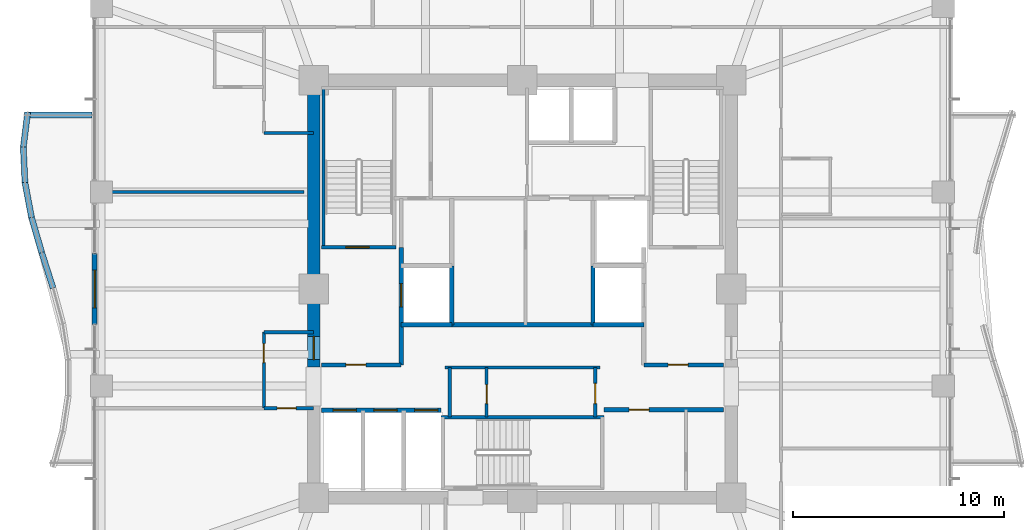
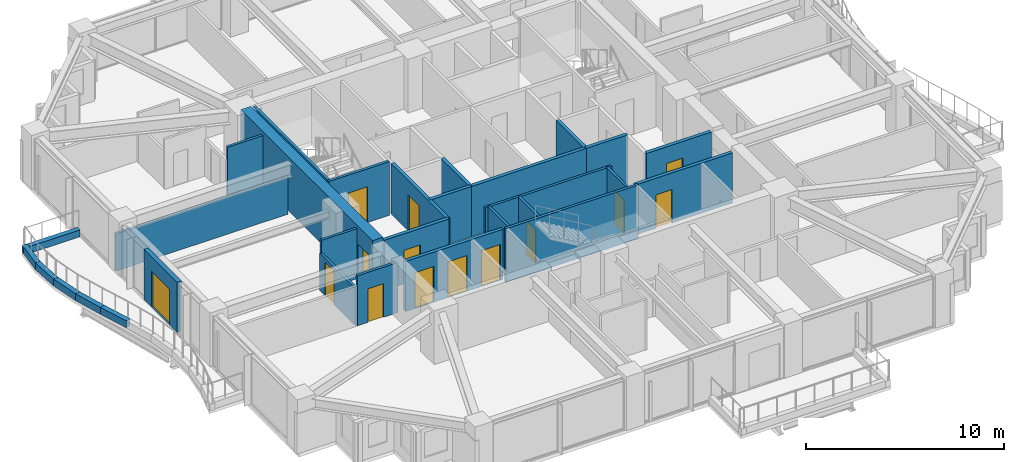
# One storey, part 32 of 38: 30 walls, 14 doors, 14 openings.
"""IFC4 building model written with IfcOpenShell, lengths in metres."""

from ifc_helpers import new_model, si_unit, direction, frame, frame_2d, origin, place, context, subcontext, project, spatial, rectangle, extrude, material, layer, layer_set, type_object, element, fill, save


model = new_model("IFC4")

# Units and contexts
model_context = context("Model", 3, precision=1e-05, world=origin(), true_north=direction((0.0, 1.0)))
body_context = subcontext(model_context, "Body", "Model", "MODEL_VIEW")
ifc_project = project(units=[si_unit("LENGTHUNIT", "METRE"), si_unit("AREAUNIT", "SQUARE_METRE"), si_unit("VOLUMEUNIT", "CUBIC_METRE"), si_unit("PLANEANGLEUNIT", "RADIAN"), si_unit("MASSUNIT", "GRAM", prefix="KILO")], contexts=[model_context])

# Site, building, storey
site_placement = place(None, origin())
site = spatial("IfcSite", under=ifc_project, at=site_placement, CompositionType="ELEMENT")
building_placement = place(site_placement, origin())
building = spatial("IfcBuilding", under=site, at=building_placement, Name="Kolvaren Belvedere", CompositionType="ELEMENT")
storey_placement = place(building_placement, frame((0.0, 0.0, 101.89990234375)))
storey = spatial("IfcBuildingStorey", under=building, at=storey_placement, Name="L29", CompositionType="ELEMENT", Elevation=101.89990234375)

# Wall, opening, door
ifc_material_1 = material(Name="Concrete C60/75", Category="concrete")
ifc_layer_1 = layer(ifc_material_1, 0.60009765625)
ifc_layer_set_1 = layer_set([ifc_layer_1], Name="Concrete C60/75")
wall_type_1 = type_object("IfcWallType", Name="CW-CORE-600", PredefinedType="SHEAR", material=ifc_layer_set_1)
wall_1_placement = place(storey_placement, frame((-9.89990234375, -3.699951171875, 0.0), z_axis=(0.0, 0.0, 1.0), x_axis=(0.0, 1.0, 0.0)))
wall_1 = element("IfcWall", 1, at=wall_1_placement, inside=storey, type_object=wall_type_1, Name="L29 West Core Shear Wall 2", PredefinedType="SHEAR", context=body_context, shape_type="SweptSolid", body=[
    extrude(rectangle(XDim=13.300048828125, YDim=0.60009765625, at=frame_2d((6.64990234375, 0.0))), origin(), (0.0, 0.0, 1.0), 3.300048828125),
])
opening_1_placement = place(wall_1_placement, frame((0.35009765625, 0.0, 0.0)))
opening_1 = element("IfcOpeningElement", 2, at=opening_1_placement, cuts=wall_1, Name="Opening D-FD90", PredefinedType="OPENING", context=body_context, shape_type="SweptSolid", body=[
    extrude(rectangle(XDim=1.10009765625, YDim=2.199951171875, at=frame_2d((0.550048828125, 1.10009765625))), frame((0.0, 0.31005859375, 0.0), z_axis=(0.0, -1.0, 0.0), x_axis=(1.0, 0.0, 0.0)), (0.0, 0.0, 1.0), 0.6201171875),
])
ifc_material_2 = material(Name="Painted hollow stainless steel", Category="steel")
door_type_1 = type_object("IfcDoorType", Name="DR-FD90-1100", OperationType="NOTDEFINED", PredefinedType="DOOR", material=ifc_material_2)
door_1_placement = place(opening_1_placement, origin())
door_1 = element("IfcDoor", 3, at=door_1_placement, inside=storey, type_object=door_type_1, Name="L29 West Firefighting Lobby Fire Door", OperationType="SINGLE_SWING_LEFT", OverallHeight=2.199951171875, OverallWidth=1.10009765625, PredefinedType="DOOR", context=body_context, shape_type="SweptSolid", body=[
    extrude(rectangle(XDim=1.10009765625, YDim=2.199951171875, at=frame_2d((0.550048828125, 1.10009765625))), frame((0.0, 0.02490234375, 0.0), z_axis=(0.0, -1.0, 0.0), x_axis=(1.0, 0.0, 0.0)), (0.0, 0.0, 1.0), 0.050048828125),
])
fill(opening_1, door_1)

ifc_material_3 = material(Name="Concrete C50/60", Category="concrete")
ifc_layer_2 = layer(ifc_material_3, 0.159912109375)
ifc_layer_set_2 = layer_set([ifc_layer_2], Name="Concrete C50/60")
wall_type_2 = type_object("IfcWallType", Name="CW-STAIR-160", PredefinedType="SHEAR", material=ifc_layer_set_2)
wall_2_placement = place(storey_placement, frame((-9.52001953125, 1.969970703125, 0.0), z_axis=(0.0, 0.0, 1.0), x_axis=(1.0, 0.0, 0.0)))
wall_2 = element("IfcWall", 4, at=wall_2_placement, inside=storey, type_object=wall_type_2, Name="L29 Stair ST-1 South Shear Wall", PredefinedType="SHEAR", context=body_context, shape_type="SweptSolid", body=[
    extrude(rectangle(XDim=3.52001953125, YDim=0.159912109375, at=frame_2d((1.760009765625, 0.0))), origin(), (0.0, 0.0, 1.0), 3.300048828125),
])
opening_2_placement = place(wall_2_placement, frame((1.14990234375, 0.0, 0.0)))
opening_2 = element("IfcOpeningElement", 5, at=opening_2_placement, cuts=wall_2, Name="Opening D-FD90", PredefinedType="OPENING", context=body_context, shape_type="SweptSolid", body=[
    extrude(rectangle(XDim=1.10009765625, YDim=2.199951171875, at=frame_2d((0.550048828125, 1.10009765625))), frame((0.0, 0.08984375, 0.0), z_axis=(0.0, -1.0, 0.0), x_axis=(1.0, 0.0, 0.0)), (0.0, 0.0, 1.0), 0.179931640625),
])
door_2_placement = place(opening_2_placement, origin())
door_2 = element("IfcDoor", 6, at=door_2_placement, inside=storey, type_object=door_type_1, Name="L29 Stair ST-1 Fire Door", OperationType="SINGLE_SWING_LEFT", OverallHeight=2.199951171875, OverallWidth=1.10009765625, PredefinedType="DOOR", context=body_context, shape_type="SweptSolid", body=[
    extrude(rectangle(XDim=1.10009765625, YDim=2.199951171875, at=frame_2d((0.550048828125, 1.10009765625))), frame((0.0, 0.02490234375, 0.0), z_axis=(0.0, -1.0, 0.0), x_axis=(1.0, 0.0, 0.0)), (0.0, 0.0, 1.0), 0.050048828125),
])
fill(opening_2, door_2)

# Walls
wall_3_placement = place(storey_placement, frame((-9.429931640625, 1.969970703125, 0.0), z_axis=(0.0, 0.0, 1.0), x_axis=(0.0, 1.0, 0.0)))
element("IfcWall", 7, at=wall_3_placement, inside=storey, type_object=wall_type_2, Name="L29 Stair ST-1 West Shear Wall", PredefinedType="SHEAR", context=body_context, shape_type="SweptSolid", body=[
    extrude(rectangle(XDim=7.56005859375, YDim=0.159912109375, at=frame_2d((3.780029296875, 0.0))), origin(), (0.0, 0.0, 1.0), 3.300048828125),
])
wall_4_placement = place(storey_placement, frame((-3.860107421875, -6.080078125, 0.0), z_axis=(0.0, 0.0, 1.0), x_axis=(1.0, 0.0, 0.0)))
element("IfcWall", 8, at=wall_4_placement, inside=storey, type_object=wall_type_2, Name="L29 Stair ST-3 North Shear Wall", PredefinedType="SHEAR", context=body_context, shape_type="SweptSolid", body=[
    extrude(rectangle(XDim=7.72021484375, YDim=0.159912109375, at=frame_2d((3.860107421875, 0.0))), origin(), (0.0, 0.0, 1.0), 3.300048828125),
])
ifc_material_4 = material(Name="Gypsum fire-rated partition assembly", Category="gypsum")
ifc_layer_3 = layer(ifc_material_4, 0.14990234375)
ifc_layer_set_3 = layer_set([ifc_layer_3], Name="Gypsum fire-rated partition assembly")
wall_type_3 = type_object("IfcWallType", Name="WL-CORR-150", PredefinedType="PARTITIONING", material=ifc_layer_set_3)
wall_5_placement = place(storey_placement, frame((-12.260009765625, 7.39990234375, 0.0), z_axis=(0.0, 0.0, 1.0), x_axis=(1.0, 0.0, 0.0)))
element("IfcWall", 9, at=wall_5_placement, inside=storey, type_object=wall_type_3, Name="L29 NW Core Closure Wall", PredefinedType="PARTITIONING", context=body_context, shape_type="SweptSolid", body=[
    extrude(rectangle(XDim=2.360107421875, YDim=0.14990234375, at=frame_2d((1.18017578125, 0.0))), origin(), (0.0, 0.0, 1.0), 3.080078125),
])

# Wall, opening, door
wall_6_placement = place(storey_placement, frame((-12.260009765625, -5.64990234375, 0.0), z_axis=(0.0, 0.0, 1.0), x_axis=(0.0, 1.0, 0.0)))
wall_6 = element("IfcWall", 10, at=wall_6_placement, inside=storey, type_object=wall_type_3, Name="L29 West FSAE Pocket Wall", PredefinedType="PARTITIONING", context=body_context, shape_type="SweptSolid", body=[
    extrude(rectangle(XDim=3.599853515625, YDim=0.14990234375, at=frame_2d((1.7998046875, 0.0))), origin(), (0.0, 0.0, 1.0), 2.2919921875),
])
opening_3_placement = place(wall_6_placement, frame((2.15625, 0.0, 0.0)))
opening_3 = element("IfcOpeningElement", 11, at=opening_3_placement, cuts=wall_6, Name="Opening D-INT90", PredefinedType="OPENING", context=body_context, shape_type="SweptSolid", body=[
    extrude(rectangle(XDim=0.89990234375, YDim=2.06005859375, at=frame_2d((0.449951171875, 1.030029296875))), frame((0.0, 0.0849609375, 0.0), z_axis=(0.0, -1.0, 0.0), x_axis=(1.0, 0.0, 0.0)), (0.0, 0.0, 1.0), 0.169921875),
])
ifc_material_5 = material(Name="Stained Pacific white oak", Category="timber")
door_type_2 = type_object("IfcDoorType", Name="DR-INT-900", OperationType="NOTDEFINED", PredefinedType="DOOR", material=ifc_material_5)
door_3_placement = place(opening_3_placement, origin())
door_3 = element("IfcDoor", 12, at=door_3_placement, inside=storey, type_object=door_type_2, Name="L29 Lounge 2908 Door", OperationType="SINGLE_SWING_LEFT", OverallHeight=2.06005859375, OverallWidth=0.89990234375, PredefinedType="DOOR", context=body_context, shape_type="SweptSolid", body=[
    extrude(rectangle(XDim=0.89990234375, YDim=2.06005859375, at=frame_2d((0.449951171875, 1.030029296875))), frame((0.0, 0.02490234375, 0.0), z_axis=(0.0, -1.0, 0.0), x_axis=(1.0, 0.0, 0.0)), (0.0, 0.0, 1.0), 0.050048828125),
])
fill(opening_3, door_3)

# Wall
wall_7_placement = place(storey_placement, frame((-12.260009765625, -2.050048828125, 0.0), z_axis=(0.0, 0.0, 1.0), x_axis=(1.0, 0.0, 0.0)))
element("IfcWall", 13, at=wall_7_placement, inside=storey, type_object=wall_type_3, Name="L29 West Pocket North Closure Wall", PredefinedType="PARTITIONING", context=body_context, shape_type="SweptSolid", body=[
    extrude(rectangle(XDim=2.360107421875, YDim=0.14990234375, at=frame_2d((1.18017578125, 0.0))), origin(), (0.0, 0.0, 1.0), 3.080078125),
])

# Wall, opening, door
wall_8_placement = place(storey_placement, frame((-12.260009765625, -5.64990234375, 0.0), z_axis=(0.0, 0.0, 1.0), x_axis=(1.0, 0.0, 0.0)))
wall_8 = element("IfcWall", 14, at=wall_8_placement, inside=storey, type_object=wall_type_3, Name="L29 West Pocket South Closure Wall", PredefinedType="PARTITIONING", context=body_context, shape_type="SweptSolid", body=[
    extrude(rectangle(XDim=2.360107421875, YDim=0.14990234375, at=frame_2d((1.18017578125, 0.0))), origin(), (0.0, 0.0, 1.0), 3.080078125),
])
opening_4_placement = place(wall_8_placement, frame((0.631591796875, 0.0, 0.0)))
opening_4 = element("IfcOpeningElement", 15, at=opening_4_placement, cuts=wall_8, Name="Opening D-INT90", PredefinedType="OPENING", context=body_context, shape_type="SweptSolid", body=[
    extrude(rectangle(XDim=0.89990234375, YDim=2.06005859375, at=frame_2d((0.449951171875, 1.030029296875))), frame((0.0, 0.0849609375, 0.0), z_axis=(0.0, -1.0, 0.0), x_axis=(1.0, 0.0, 0.0)), (0.0, 0.0, 1.0), 0.169921875),
])
door_4_placement = place(opening_4_placement, origin())
door_4 = element("IfcDoor", 16, at=door_4_placement, inside=storey, type_object=door_type_2, Name="L29 Lounge 2909 Door", OperationType="SINGLE_SWING_RIGHT", OverallHeight=2.06005859375, OverallWidth=0.89990234375, PredefinedType="DOOR", context=body_context, shape_type="SweptSolid", body=[
    extrude(rectangle(XDim=0.89990234375, YDim=2.06005859375, at=frame_2d((0.449951171875, 1.030029296875))), frame((0.0, 0.02490234375, 0.0), z_axis=(0.0, -1.0, 0.0), x_axis=(1.0, 0.0, 0.0)), (0.0, 0.0, 1.0), 0.050048828125),
])
fill(opening_4, door_4)

ifc_material_6 = material(Name="Insulated pale-metal facade wall assembly", Category="aluminium")
ifc_layer_4 = layer(ifc_material_6, 0.239990234375)
ifc_layer_set_4 = layer_set([ifc_layer_4], Name="Insulated pale-metal facade wall assembly")
wall_type_4 = type_object("IfcWallType", Name="WL-EXT-240", PredefinedType="STANDARD", material=ifc_layer_set_4)
wall_9_placement = place(storey_placement, frame((-20.280029296875, -1.679931640625, 0.0), z_axis=(0.0, 0.0, 1.0), x_axis=(0.0, 1.0, 0.0)))
wall_9 = element("IfcWall", 17, at=wall_9_placement, inside=storey, type_object=wall_type_4, Name="L29 West Terrace Portal Wall", PredefinedType="STANDARD", context=body_context, shape_type="SweptSolid", body=[
    extrude(rectangle(XDim=3.35986328125, YDim=0.239990234375, at=frame_2d((1.679931640625, 0.0))), origin(), (0.0, 0.0, 1.0), 3.080078125),
])
opening_5_placement = place(wall_9_placement, frame((0.780029296875, 0.0, 0.0)))
opening_5 = element("IfcOpeningElement", 18, at=opening_5_placement, cuts=wall_9, Name="Opening DB-1800", PredefinedType="OPENING", context=body_context, shape_type="SweptSolid", body=[
    extrude(rectangle(XDim=1.800048828125, YDim=2.199951171875, at=frame_2d((0.89990234375, 1.10009765625))), frame((0.0, 0.1298828125, 0.0), z_axis=(0.0, -1.0, 0.0), x_axis=(1.0, 0.0, 0.0)), (0.0, 0.0, 1.0), 0.260009765625),
])
ifc_material_7 = material(Name="Thermally broken pale-metal aluminium & low-iron glass", Category="aluminium")
door_type_3 = type_object("IfcDoorType", Name="DR-BAL-1800", OperationType="DOUBLE_DOOR_SLIDING", PredefinedType="DOOR", material=ifc_material_7)
door_5_placement = place(opening_5_placement, origin())
door_5 = element("IfcDoor", 19, at=door_5_placement, inside=storey, type_object=door_type_3, Name="L29 West Planted Terrace Sliding Door", OperationType="DOUBLE_DOOR_SLIDING", OverallHeight=2.199951171875, OverallWidth=1.800048828125, PredefinedType="DOOR", context=body_context, shape_type="SweptSolid", body=[
    extrude(rectangle(XDim=1.800048828125, YDim=2.199951171875, at=frame_2d((0.89990234375, 1.10009765625))), frame((0.0, 0.02490234375, 0.0), z_axis=(0.0, -1.0, 0.0), x_axis=(1.0, 0.0, 0.0)), (0.0, 0.0, 1.0), 0.050048828125),
])
fill(opening_5, door_5)

# Wall
ifc_material_8 = material(Name="Gypsum acoustic partition assembly", Category="gypsum")
ifc_layer_5 = layer(ifc_material_8, 0.14990234375)
ifc_layer_set_5 = layer_set([ifc_layer_5], Name="Gypsum acoustic partition assembly")
wall_type_5 = type_object("IfcWallType", Name="WL-PART-150", PredefinedType="PARTITIONING", material=ifc_layer_set_5)
wall_10_placement = place(storey_placement, frame((-3.679931640625, -3.719970703125, 0.0), z_axis=(0.0, 0.0, 1.0), x_axis=(1.0, 0.0, 0.0)))
element("IfcWall", 20, at=wall_10_placement, inside=storey, type_object=wall_type_5, Name="L29 South Core Service North Wall", PredefinedType="PARTITIONING", context=body_context, shape_type="SweptSolid", body=[
    extrude(rectangle(XDim=7.35986328125, YDim=0.14990234375, at=frame_2d((3.679931640625, 0.0))), origin(), (0.0, 0.0, 1.0), 3.080078125),
])

# Wall, opening, door
wall_11_placement = place(storey_placement, frame((3.449951171875, -6.080078125, 0.0), z_axis=(0.0, 0.0, 1.0), x_axis=(0.0, 1.0, 0.0)))
wall_11 = element("IfcWall", 21, at=wall_11_placement, inside=storey, type_object=wall_type_5, Name="L29 South Core Service East Wall", PredefinedType="PARTITIONING", context=body_context, shape_type="SweptSolid", body=[
    extrude(rectangle(XDim=2.360107421875, YDim=0.14990234375, at=frame_2d((1.18017578125, 0.0))), origin(), (0.0, 0.0, 1.0), 3.080078125),
])
opening_6_placement = place(wall_11_placement, frame((0.64990234375, 0.0, 0.0)))
opening_6 = element("IfcOpeningElement", 22, at=opening_6_placement, cuts=wall_11, Name="Opening D-FD60", PredefinedType="OPENING", context=body_context, shape_type="SweptSolid", body=[
    extrude(rectangle(XDim=0.949951171875, YDim=2.06005859375, at=frame_2d((0.47509765625, 1.030029296875))), frame((0.0, 0.0849609375, 0.0), z_axis=(0.0, -1.0, 0.0), x_axis=(1.0, 0.0, 0.0)), (0.0, 0.0, 1.0), 0.169921875),
])
ifc_material_9 = material(Name="Acoustic white-oak fire door leaf", Category="timber")
door_type_4 = type_object("IfcDoorType", Name="DR-FD60-950", OperationType="NOTDEFINED", PredefinedType="DOOR", material=ifc_material_9)
door_6_placement = place(opening_6_placement, origin())
door_6 = element("IfcDoor", 23, at=door_6_placement, inside=storey, type_object=door_type_4, Name="L29 Core Service Room Door", OperationType="SINGLE_SWING_LEFT", OverallHeight=2.06005859375, OverallWidth=0.949951171875, PredefinedType="DOOR", context=body_context, shape_type="SweptSolid", body=[
    extrude(rectangle(XDim=0.949951171875, YDim=2.06005859375, at=frame_2d((0.47509765625, 1.030029296875))), frame((0.0, 0.02490234375, 0.0), z_axis=(0.0, -1.0, 0.0), x_axis=(1.0, 0.0, 0.0)), (0.0, 0.0, 1.0), 0.050048828125),
])
fill(opening_6, door_6)

# Wall
wall_12_placement = place(storey_placement, frame((-3.449951171875, -6.080078125, 0.0), z_axis=(0.0, 0.0, 1.0), x_axis=(0.0, 1.0, 0.0)))
element("IfcWall", 24, at=wall_12_placement, inside=storey, type_object=wall_type_5, Name="L29 South Core Service West Wall", PredefinedType="PARTITIONING", context=body_context, shape_type="SweptSolid", body=[
    extrude(rectangle(XDim=2.360107421875, YDim=0.14990234375, at=frame_2d((1.18017578125, 0.0))), origin(), (0.0, 0.0, 1.0), 3.080078125),
])

# Wall, opening, door
wall_13_placement = place(storey_placement, frame((-1.699951171875, -6.080078125, 0.0), z_axis=(0.0, 0.0, 1.0), x_axis=(0.0, 1.0, 0.0)))
wall_13 = element("IfcWall", 25, at=wall_13_placement, inside=storey, type_object=wall_type_5, Name="L29 Core Service Divider", PredefinedType="PARTITIONING", context=body_context, shape_type="SweptSolid", body=[
    extrude(rectangle(XDim=2.360107421875, YDim=0.14990234375, at=frame_2d((1.18017578125, 0.0))), origin(), (0.0, 0.0, 1.0), 3.080078125),
])
opening_7_placement = place(wall_13_placement, frame((0.64990234375, 0.0, 0.0)))
opening_7 = element("IfcOpeningElement", 26, at=opening_7_placement, cuts=wall_13, Name="Opening D-INT90", PredefinedType="OPENING", context=body_context, shape_type="SweptSolid", body=[
    extrude(rectangle(XDim=0.89990234375, YDim=2.06005859375, at=frame_2d((0.449951171875, 1.030029296875))), frame((0.0, 0.0849609375, 0.0), z_axis=(0.0, -1.0, 0.0), x_axis=(1.0, 0.0, 0.0)), (0.0, 0.0, 1.0), 0.169921875),
])
door_7_placement = place(opening_7_placement, origin())
door_7 = element("IfcDoor", 27, at=door_7_placement, inside=storey, type_object=door_type_2, Name="L29 Telecom Inner Door", OperationType="SINGLE_SWING_RIGHT", OverallHeight=2.06005859375, OverallWidth=0.89990234375, PredefinedType="DOOR", context=body_context, shape_type="SweptSolid", body=[
    extrude(rectangle(XDim=0.89990234375, YDim=2.06005859375, at=frame_2d((0.449951171875, 1.030029296875))), frame((0.0, 0.02490234375, 0.0), z_axis=(0.0, -1.0, 0.0), x_axis=(1.0, 0.0, 0.0)), (0.0, 0.0, 1.0), 0.050048828125),
])
fill(opening_7, door_7)

# Walls
wall_14_placement = place(storey_placement, frame((-20.3798828125, 4.60009765625, 0.0), z_axis=(0.0, 0.0, 1.0), x_axis=(1.0, 0.0, 0.0)))
element("IfcWall", 28, at=wall_14_placement, inside=storey, type_object=wall_type_5, Name="L29 West Upper Suite Divider", PredefinedType="PARTITIONING", context=body_context, shape_type="SweptSolid", body=[
    extrude(rectangle(XDim=10.019775390625, YDim=0.14990234375, at=frame_2d((5.009765625, 0.0))), origin(), (0.0, 0.0, 1.0), 2.2919921875),
])
ifc_material_10 = material(Name="Precast concrete C40/50", Category="concrete")
ifc_layer_6 = layer(ifc_material_10, 0.300048828125)
ifc_layer_set_6 = layer_set([ifc_layer_6], Name="Precast concrete C40/50")
wall_type_6 = type_object("IfcWallType", Name="WL-PLANTER-300", PredefinedType="PARAPET", material=ifc_layer_set_6)
wall_15_placement = place(storey_placement, frame((-23.454833984375, 8.380615234375, -0.039794921875), z_axis=(0.0, 0.0, 1.0), x_axis=(-0.121868867697, -0.992546210051, 0.0)))
element("IfcWall", 29, at=wall_15_placement, inside=storey, type_object=wall_type_6, Name="L29 Precast Structural Planter Wall BAL-W-1", PredefinedType="PARAPET", context=body_context, shape_type="SweptSolid", body=[
    extrude(rectangle(XDim=1.69287109375, YDim=0.280029296875, at=frame_2d((0.846435546875, 0.0))), origin(), (0.0, 0.0, 1.0), 0.419921875),
])
wall_16_placement = place(storey_placement, frame((-23.66015625, 6.727294921875, -0.039794921875), z_axis=(0.0, 0.0, 1.0), x_axis=(0.044999415011, -0.998987013253, 0.0)))
element("IfcWall", 30, at=wall_16_placement, inside=storey, type_object=wall_type_6, Name="L29 Precast Structural Planter Wall BAL-W-2", PredefinedType="PARAPET", context=body_context, shape_type="SweptSolid", body=[
    extrude(rectangle(XDim=1.681884765625, YDim=0.280029296875, at=frame_2d((0.8408203125, 0.0))), origin(), (0.0, 0.0, 1.0), 0.419921875),
])
wall_17_placement = place(storey_placement, frame((-23.5869140625, 5.069580078125, -0.039794921875), z_axis=(0.0, 0.0, 1.0), x_axis=(0.18467658162, -0.982799348901, 0.0)))
element("IfcWall", 31, at=wall_17_placement, inside=storey, type_object=wall_type_6, Name="L29 Precast Structural Planter Wall BAL-W-3", PredefinedType="PARAPET", context=body_context, shape_type="SweptSolid", body=[
    extrude(rectangle(XDim=1.709228515625, YDim=0.280029296875, at=frame_2d((0.8544921875, 0.0))), origin(), (0.0, 0.0, 1.0), 0.419921875),
])
wall_18_placement = place(storey_placement, frame((-23.274658203125, 3.404541015625, -0.039794921875), z_axis=(0.0, 0.0, 1.0), x_axis=(0.277817391164, -0.960633903819, 0.0)))
element("IfcWall", 32, at=wall_18_placement, inside=storey, type_object=wall_type_6, Name="L29 Precast Structural Planter Wall BAL-W-4", PredefinedType="PARAPET", context=body_context, shape_type="SweptSolid", body=[
    extrude(rectangle(XDim=1.748779296875, YDim=0.280029296875, at=frame_2d((0.87451171875, 0.0))), origin(), (0.0, 0.0, 1.0), 0.419921875),
])
wall_19_placement = place(storey_placement, frame((-22.7900390625, 1.728515625, -0.039794921875), z_axis=(0.0, 0.0, 1.0), x_axis=(0.304032153573, -0.952661770826, 0.0)))
element("IfcWall", 33, at=wall_19_placement, inside=storey, type_object=wall_type_6, Name="L29 Precast Structural Planter Wall BAL-W-5", PredefinedType="PARAPET", context=body_context, shape_type="SweptSolid", body=[
    extrude(rectangle(XDim=1.763427734375, YDim=0.280029296875, at=frame_2d((0.8818359375, 0.0))), origin(), (0.0, 0.0, 1.0), 0.419921875),
])
wall_20_placement = place(storey_placement, frame((-20.39990234375, 8.239990234375, -0.039794921875), z_axis=(0.0, 0.0, 1.0), x_axis=(-1.0, 0.0, 0.0)))
element("IfcWall", 34, at=wall_20_placement, inside=storey, type_object=wall_type_6, Name="L29 Precast Structural Planter Wall BAL-W-22", PredefinedType="PARAPET", context=body_context, shape_type="SweptSolid", body=[
    extrude(rectangle(XDim=3.2138671875, YDim=0.280029296875, at=frame_2d((1.60693359375, 0.0))), origin(), (0.0, 0.0, 1.0), 0.419921875),
])

# Wall, opening, door
ifc_material_11 = material(Name="Concrete C50/60", Category="concrete")
ifc_layer_7 = layer(ifc_material_11, 0.199951171875)
ifc_layer_set_7 = layer_set([ifc_layer_7], Name="Concrete C50/60")
wall_type_7 = type_object("IfcWallType", Name="WL-SHAFT-200", PredefinedType="SOLIDWALL", material=ifc_layer_set_7)
wall_21_placement = place(storey_placement, frame((-9.52001953125, -3.60009765625, 0.0), z_axis=(0.0, 0.0, 1.0), x_axis=(1.0, 0.0, 0.0)))
wall_21 = element("IfcWall", 35, at=wall_21_placement, inside=storey, type_object=wall_type_7, Name="L29 West FSAE Lobby South Wall", PredefinedType="SOLIDWALL", context=body_context, shape_type="SweptSolid", body=[
    extrude(rectangle(XDim=3.77001953125, YDim=0.199951171875, at=frame_2d((1.885009765625, 0.0))), origin(), (0.0, 0.0, 1.0), 3.080078125),
])
opening_8_placement = place(wall_21_placement, frame((1.14990234375, 0.0, 0.0)))
opening_8 = element("IfcOpeningElement", 36, at=opening_8_placement, cuts=wall_21, Name="Opening D-FD60", PredefinedType="OPENING", context=body_context, shape_type="SweptSolid", body=[
    extrude(rectangle(XDim=0.949951171875, YDim=2.06005859375, at=frame_2d((0.47509765625, 1.030029296875))), frame((0.0, 0.10986328125, 0.0), z_axis=(0.0, -1.0, 0.0), x_axis=(1.0, 0.0, 0.0)), (0.0, 0.0, 1.0), 0.219970703125),
])
door_8_placement = place(opening_8_placement, origin())
door_8 = element("IfcDoor", 37, at=door_8_placement, inside=storey, type_object=door_type_4, Name="L29 Mid-Rise Lift Lobby Fire Door", OperationType="SINGLE_SWING_LEFT", OverallHeight=2.06005859375, OverallWidth=0.949951171875, PredefinedType="DOOR", context=body_context, shape_type="SweptSolid", body=[
    extrude(rectangle(XDim=0.949951171875, YDim=2.06005859375, at=frame_2d((0.47509765625, 1.030029296875))), frame((0.0, 0.02490234375, 0.0), z_axis=(0.0, -1.0, 0.0), x_axis=(1.0, 0.0, 0.0)), (0.0, 0.0, 1.0), 0.050048828125),
])
fill(opening_8, door_8)

wall_22_placement = place(storey_placement, frame((-5.75, -3.60009765625, 0.0), z_axis=(0.0, 0.0, 1.0), x_axis=(0.0, 1.0, 0.0)))
wall_22 = element("IfcWall", 38, at=wall_22_placement, inside=storey, type_object=wall_type_7, Name="L29 FSAE FS1 Landing Wall", PredefinedType="SOLIDWALL", context=body_context, shape_type="SweptSolid", body=[
    extrude(rectangle(XDim=5.570068359375, YDim=0.199951171875, at=frame_2d((2.78515625, 0.0))), origin(), (0.0, 0.0, 1.0), 3.080078125),
])
opening_9_placement = place(wall_22_placement, frame((2.75, 0.0, 0.0)))
opening_9 = element("IfcOpeningElement", 39, at=opening_9_placement, cuts=wall_22, Name="Opening LD-11", PredefinedType="OPENING", context=body_context, shape_type="SweptSolid", body=[
    extrude(rectangle(XDim=1.10009765625, YDim=2.199951171875, at=frame_2d((0.550048828125, 1.10009765625))), frame((0.0, 0.10986328125, 0.0), z_axis=(0.0, -1.0, 0.0), x_axis=(1.0, 0.0, 0.0)), (0.0, 0.0, 1.0), 0.219970703125),
])
ifc_material_12 = material(Name="Brushed stainless steel", Category="steel")
door_type_5 = type_object("IfcDoorType", Name="DR-LIFT-1100", OperationType="DOUBLE_DOOR_SLIDING", PredefinedType="DOOR", material=ifc_material_12)
door_9_placement = place(opening_9_placement, origin())
door_9 = element("IfcDoor", 40, at=door_9_placement, inside=storey, type_object=door_type_5, Name="L29 Firefighting Lift FS1 Landing Door", OperationType="DOUBLE_DOOR_SLIDING", OverallHeight=2.199951171875, OverallWidth=1.10009765625, PredefinedType="DOOR", context=body_context, shape_type="SweptSolid", body=[
    extrude(rectangle(XDim=1.10009765625, YDim=2.199951171875, at=frame_2d((0.550048828125, 1.10009765625))), frame((0.0, 0.02490234375, 0.0), z_axis=(0.0, -1.0, 0.0), x_axis=(1.0, 0.0, 0.0)), (0.0, 0.0, 1.0), 0.050048828125),
])
fill(opening_9, door_9)

# Walls
wall_23_placement = place(storey_placement, frame((-3.35009765625, -1.699951171875, 0.0), z_axis=(0.0, 0.0, 1.0), x_axis=(0.0, 1.0, 0.0)))
element("IfcWall", 41, at=wall_23_placement, inside=storey, type_object=wall_type_7, Name="L29 FSAE FS1 Back Wall", PredefinedType="SOLIDWALL", context=body_context, shape_type="SweptSolid", body=[
    extrude(rectangle(XDim=2.800048828125, YDim=0.199951171875, at=frame_2d((1.39990234375, 0.0))), origin(), (0.0, 0.0, 1.0), 3.080078125),
])
wall_24_placement = place(storey_placement, frame((-5.75, -1.699951171875, 0.0), z_axis=(0.0, 0.0, 1.0), x_axis=(1.0, 0.0, 0.0)))
element("IfcWall", 42, at=wall_24_placement, inside=storey, type_object=wall_type_7, Name="L29 FSAE FS1 South Wall", PredefinedType="SOLIDWALL", context=body_context, shape_type="SweptSolid", body=[
    extrude(rectangle(XDim=2.39990234375, YDim=0.199951171875, at=frame_2d((1.199951171875, 0.0))), origin(), (0.0, 0.0, 1.0), 3.080078125),
])

# Wall, opening, door
wall_25_placement = place(storey_placement, frame((5.75, -3.60009765625, 0.0), z_axis=(0.0, 0.0, 1.0), x_axis=(1.0, 0.0, 0.0)))
wall_25 = element("IfcWall", 43, at=wall_25_placement, inside=storey, type_object=wall_type_7, Name="L29 East FSAE Lobby South Wall", PredefinedType="SOLIDWALL", context=body_context, shape_type="SweptSolid", body=[
    extrude(rectangle(XDim=3.77001953125, YDim=0.199951171875, at=frame_2d((1.885009765625, 0.0))), origin(), (0.0, 0.0, 1.0), 3.080078125),
])
opening_10_placement = place(wall_25_placement, frame((1.14990234375, 0.0, 0.0)))
opening_10 = element("IfcOpeningElement", 44, at=opening_10_placement, cuts=wall_25, Name="Opening D-FD60", PredefinedType="OPENING", context=body_context, shape_type="SweptSolid", body=[
    extrude(rectangle(XDim=0.949951171875, YDim=2.06005859375, at=frame_2d((0.47509765625, 1.030029296875))), frame((0.0, 0.10986328125, 0.0), z_axis=(0.0, -1.0, 0.0), x_axis=(1.0, 0.0, 0.0)), (0.0, 0.0, 1.0), 0.219970703125),
])
door_10_placement = place(opening_10_placement, origin())
door_10 = element("IfcDoor", 45, at=door_10_placement, inside=storey, type_object=door_type_4, Name="L29 SE Lift Lobby Fire Door", OperationType="SINGLE_SWING_RIGHT", OverallHeight=2.06005859375, OverallWidth=0.949951171875, PredefinedType="DOOR", context=body_context, shape_type="SweptSolid", body=[
    extrude(rectangle(XDim=0.949951171875, YDim=2.06005859375, at=frame_2d((0.47509765625, 1.030029296875))), frame((0.0, 0.02490234375, 0.0), z_axis=(0.0, -1.0, 0.0), x_axis=(1.0, 0.0, 0.0)), (0.0, 0.0, 1.0), 0.050048828125),
])
fill(opening_10, door_10)

# Walls
wall_26_placement = place(storey_placement, frame((3.35009765625, -1.699951171875, 0.0), z_axis=(0.0, 0.0, 1.0), x_axis=(0.0, 1.0, 0.0)))
element("IfcWall", 46, at=wall_26_placement, inside=storey, type_object=wall_type_7, Name="L29 FSAE FS2 Back Wall", PredefinedType="SOLIDWALL", context=body_context, shape_type="SweptSolid", body=[
    extrude(rectangle(XDim=2.800048828125, YDim=0.199951171875, at=frame_2d((1.39990234375, 0.0))), origin(), (0.0, 0.0, 1.0), 3.080078125),
])
wall_27_placement = place(storey_placement, frame((3.35009765625, -1.699951171875, 0.0), z_axis=(0.0, 0.0, 1.0), x_axis=(1.0, 0.0, 0.0)))
element("IfcWall", 47, at=wall_27_placement, inside=storey, type_object=wall_type_7, Name="L29 FSAE FS2 South Wall", PredefinedType="SOLIDWALL", context=body_context, shape_type="SweptSolid", body=[
    extrude(rectangle(XDim=2.39990234375, YDim=0.199951171875, at=frame_2d((1.199951171875, 0.0))), origin(), (0.0, 0.0, 1.0), 3.080078125),
])

# Wall, openings, doors
wall_28_placement = place(storey_placement, frame((-9.52001953125, -5.75, 0.0), z_axis=(0.0, 0.0, 1.0), x_axis=(1.0, 0.0, 0.0)))
wall_28 = element("IfcWall", 48, at=wall_28_placement, inside=storey, type_object=wall_type_7, Name="L29 Mid-Rise Lift Bank Front Wall", PredefinedType="SOLIDWALL", context=body_context, shape_type="SweptSolid", body=[
    extrude(rectangle(XDim=5.659912109375, YDim=0.199951171875, at=frame_2d((2.830078125, 0.0))), origin(), (0.0, 0.0, 1.0), 3.080078125),
])
opening_11_placement = place(wall_28_placement, frame((0.550048828125, 0.0, 0.0)))
opening_11 = element("IfcOpeningElement", 49, at=opening_11_placement, cuts=wall_28, Name="Opening LD-11", PredefinedType="OPENING", context=body_context, shape_type="SweptSolid", body=[
    extrude(rectangle(XDim=1.10009765625, YDim=2.199951171875, at=frame_2d((0.550048828125, 1.10009765625))), frame((0.0, 0.10986328125, 0.0), z_axis=(0.0, -1.0, 0.0), x_axis=(1.0, 0.0, 0.0)), (0.0, 0.0, 1.0), 0.219970703125),
])
opening_12_placement = place(wall_28_placement, frame((2.47998046875, 0.0, 0.0)))
opening_12 = element("IfcOpeningElement", 50, at=opening_12_placement, cuts=wall_28, Name="Opening LD-11", PredefinedType="OPENING", context=body_context, shape_type="SweptSolid", body=[
    extrude(rectangle(XDim=1.10009765625, YDim=2.199951171875, at=frame_2d((0.550048828125, 1.10009765625))), frame((0.0, 0.10986328125, 0.0), z_axis=(0.0, -1.0, 0.0), x_axis=(1.0, 0.0, 0.0)), (0.0, 0.0, 1.0), 0.219970703125),
])
opening_13_placement = place(wall_28_placement, frame((4.409912109375, 0.0, 0.0)))
opening_13 = element("IfcOpeningElement", 51, at=opening_13_placement, cuts=wall_28, Name="Opening LD-11", PredefinedType="OPENING", context=body_context, shape_type="SweptSolid", body=[
    extrude(rectangle(XDim=1.10009765625, YDim=2.199951171875, at=frame_2d((0.550048828125, 1.10009765625))), frame((0.0, 0.10986328125, 0.0), z_axis=(0.0, -1.0, 0.0), x_axis=(1.0, 0.0, 0.0)), (0.0, 0.0, 1.0), 0.219970703125),
])
door_11_placement = place(opening_11_placement, origin())
door_11 = element("IfcDoor", 52, at=door_11_placement, inside=storey, type_object=door_type_5, Name="L29 Passenger Lift P4 Landing Door", OperationType="DOUBLE_DOOR_SLIDING", OverallHeight=2.199951171875, OverallWidth=1.10009765625, PredefinedType="DOOR", context=body_context, shape_type="SweptSolid", body=[
    extrude(rectangle(XDim=1.10009765625, YDim=2.199951171875, at=frame_2d((0.550048828125, 1.10009765625))), frame((0.0, 0.02490234375, 0.0), z_axis=(0.0, -1.0, 0.0), x_axis=(1.0, 0.0, 0.0)), (0.0, 0.0, 1.0), 0.050048828125),
])
fill(opening_11, door_11)
door_12_placement = place(opening_12_placement, origin())
door_12 = element("IfcDoor", 53, at=door_12_placement, inside=storey, type_object=door_type_5, Name="L29 Passenger Lift P5 Landing Door", OperationType="DOUBLE_DOOR_SLIDING", OverallHeight=2.199951171875, OverallWidth=1.10009765625, PredefinedType="DOOR", context=body_context, shape_type="SweptSolid", body=[
    extrude(rectangle(XDim=1.10009765625, YDim=2.199951171875, at=frame_2d((0.550048828125, 1.10009765625))), frame((0.0, 0.02490234375, 0.0), z_axis=(0.0, -1.0, 0.0), x_axis=(1.0, 0.0, 0.0)), (0.0, 0.0, 1.0), 0.050048828125),
])
fill(opening_12, door_12)
door_13_placement = place(opening_13_placement, origin())
door_13 = element("IfcDoor", 54, at=door_13_placement, inside=storey, type_object=door_type_5, Name="L29 Passenger Lift P6 Landing Door", OperationType="DOUBLE_DOOR_SLIDING", OverallHeight=2.199951171875, OverallWidth=1.10009765625, PredefinedType="DOOR", context=body_context, shape_type="SweptSolid", body=[
    extrude(rectangle(XDim=1.10009765625, YDim=2.199951171875, at=frame_2d((0.550048828125, 1.10009765625))), frame((0.0, 0.02490234375, 0.0), z_axis=(0.0, -1.0, 0.0), x_axis=(1.0, 0.0, 0.0)), (0.0, 0.0, 1.0), 0.050048828125),
])
fill(opening_13, door_13)

# Wall, opening, door
wall_29_placement = place(storey_placement, frame((3.860107421875, -5.719970703125, 0.0), z_axis=(0.0, 0.0, 1.0), x_axis=(1.0, 0.0, 0.0)))
wall_29 = element("IfcWall", 55, at=wall_29_placement, inside=storey, type_object=wall_type_7, Name="L29 SE Core Distribution Wall", PredefinedType="SOLIDWALL", context=body_context, shape_type="SweptSolid", body=[
    extrude(rectangle(XDim=5.659912109375, YDim=0.199951171875, at=frame_2d((2.830078125, 0.0))), origin(), (0.0, 0.0, 1.0), 3.080078125),
])
opening_14_placement = place(wall_29_placement, frame((1.199951171875, 0.0, 0.0)))
opening_14 = element("IfcOpeningElement", 56, at=opening_14_placement, cuts=wall_29, Name="Opening D-FD60", PredefinedType="OPENING", context=body_context, shape_type="SweptSolid", body=[
    extrude(rectangle(XDim=0.949951171875, YDim=2.06005859375, at=frame_2d((0.47509765625, 1.030029296875))), frame((0.0, 0.10986328125, 0.0), z_axis=(0.0, -1.0, 0.0), x_axis=(1.0, 0.0, 0.0)), (0.0, 0.0, 1.0), 0.219970703125),
])
door_14_placement = place(opening_14_placement, origin())
door_14 = element("IfcDoor", 57, at=door_14_placement, inside=storey, type_object=door_type_4, Name="L29 SE BMS Store Door", OperationType="SINGLE_SWING_RIGHT", OverallHeight=2.06005859375, OverallWidth=0.949951171875, PredefinedType="DOOR", context=body_context, shape_type="SweptSolid", body=[
    extrude(rectangle(XDim=0.949951171875, YDim=2.06005859375, at=frame_2d((0.47509765625, 1.030029296875))), frame((0.0, 0.02490234375, 0.0), z_axis=(0.0, -1.0, 0.0), x_axis=(1.0, 0.0, 0.0)), (0.0, 0.0, 1.0), 0.050048828125),
])
fill(opening_14, door_14)

# Wall
wall_30_placement = place(storey_placement, frame((-3.35009765625, -1.699951171875, 0.0), z_axis=(0.0, 0.0, 1.0), x_axis=(1.0, 0.0, 0.0)))
element("IfcWall", 58, at=wall_30_placement, inside=storey, type_object=wall_type_7, Name="L29 Central Core Room South Wall", PredefinedType="SOLIDWALL", context=body_context, shape_type="SweptSolid", body=[
    extrude(rectangle(XDim=6.7001953125, YDim=0.199951171875, at=frame_2d((3.35009765625, 0.0))), origin(), (0.0, 0.0, 1.0), 3.080078125),
])

save(model, "model.ifc")
